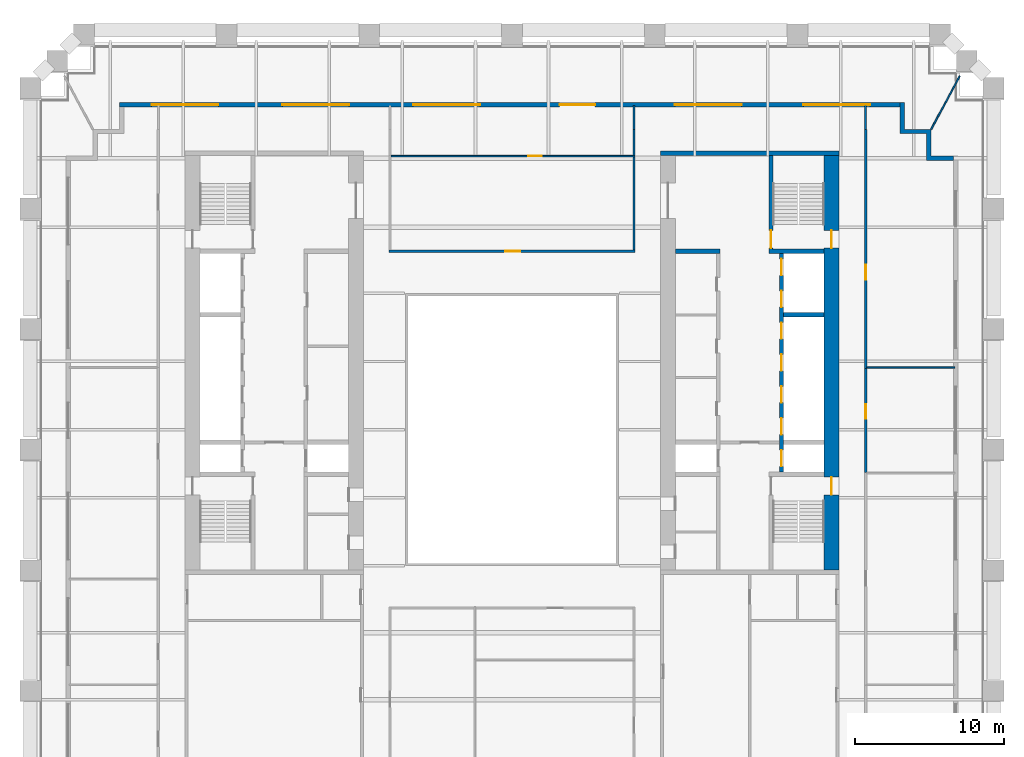
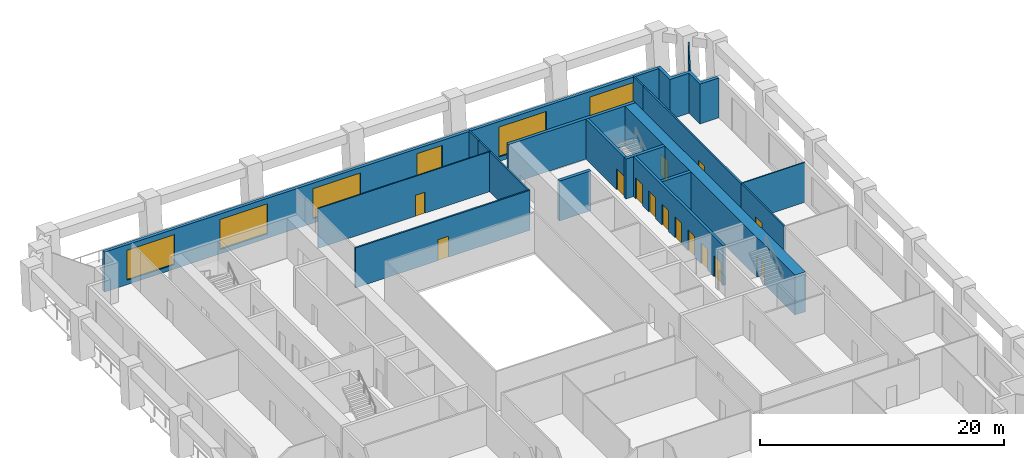
# One storey, part 7 of 9: 19 walls, 15 doors, 5 windows, 20 openings.
"""IFC4 building model written with IfcOpenShell, lengths in metres."""

from ifc_helpers import new_model, si_unit, direction, frame, frame_2d, origin, place, context, subcontext, project, spatial, polyline, rectangle, outline, extrude, material, layer, layer_set, type_object, element, fill, save


model = new_model("IFC4")

# Units and contexts
model_context = context("Model", 3, precision=1e-05, world=origin(), true_north=direction((0.0, 1.0)))
body_context = subcontext(model_context, "Body", "Model", "MODEL_VIEW")
ifc_project = project(units=[si_unit("LENGTHUNIT", "METRE"), si_unit("AREAUNIT", "SQUARE_METRE"), si_unit("VOLUMEUNIT", "CUBIC_METRE"), si_unit("PLANEANGLEUNIT", "RADIAN"), si_unit("MASSUNIT", "GRAM", prefix="KILO")], contexts=[model_context])

# Site, building, storey
site_placement = place(None, origin())
site = spatial("IfcSite", under=ifc_project, at=site_placement, CompositionType="ELEMENT")
building_placement = place(site_placement, origin())
building = spatial("IfcBuilding", under=site, at=building_placement, Name="Ogive Exchange Tower", CompositionType="ELEMENT")
storey_placement = place(building_placement, frame((0.0, 0.0, 56.39990234375)))
storey = spatial("IfcBuildingStorey", under=building, at=storey_placement, Name="L11", CompositionType="ELEMENT", Elevation=56.39990234375)

# Wall
ifc_material_1 = material(Name="Gypsum board partition")
ifc_layer_1 = layer(ifc_material_1, 0.300048828125)
ifc_layer_set_1 = layer_set([ifc_layer_1], Name="Core room partition 300 gypsum")
wall_type_1 = type_object("IfcWallType", Name="Core room partition 300 gypsum", PredefinedType="PARTITIONING", material=ifc_layer_set_1)
wall_1_placement = place(storey_placement, frame((11.0, 19.0, 0.0), z_axis=(0.0, 0.0, 1.0), x_axis=(1.0, 0.0, 0.0)))
element("IfcWall", 1, at=wall_1_placement, inside=storey, type_object=wall_type_1, Name="E row B room end wall 7", PredefinedType="PARTITIONING", context=body_context, shape_type="SweptSolid", body=[
    extrude(rectangle(XDim=3.0, YDim=0.300048828125, at=frame_2d((1.5, 0.0))), origin(), (0.0, 0.0, 1.0), 4.0),
])

# Wall, opening, door
ifc_material_2 = material(Name="Fire partition EI 60 150")
ifc_layer_2 = layer(ifc_material_2, 0.14990234375)
ifc_layer_set_2 = layer_set([ifc_layer_2], Name="Fire partition EI 60 150")
wall_type_2 = type_object("IfcWallType", Name="Fire partition EI 60 150", PredefinedType="PARTITIONING", material=ifc_layer_set_2)
wall_2_placement = place(storey_placement, frame((-8.27490234375, 19.0, 0.0), z_axis=(0.0, 0.0, 1.0), x_axis=(1.0, 0.0, 0.0)))
wall_2 = element("IfcWall", 2, at=wall_2_placement, inside=storey, type_object=wall_type_2, Name="L11-PWL-022", PredefinedType="PARTITIONING", context=body_context, shape_type="SweptSolid", body=[
    extrude(rectangle(XDim=16.5498046875, YDim=0.14990234375, at=frame_2d((8.27490234375, 0.0))), origin(), (0.0, 0.0, 1.0), 4.0),
])
opening_1_placement = place(wall_2_placement, frame((7.824951171875, 0.0, 0.0)))
opening_1 = element("IfcOpeningElement", 3, at=opening_1_placement, cuts=wall_2, Name="Opening L11-I01", PredefinedType="OPENING", context=body_context, shape_type="SweptSolid", body=[
    extrude(rectangle(XDim=1.0, YDim=2.10009765625, at=frame_2d((0.5, 1.050048828125))), frame((0.0, 0.0849609375, 0.0), z_axis=(0.0, -1.0, 0.0), x_axis=(1.0, 0.0, 0.0)), (0.0, 0.0, 1.0), 0.169921875),
])
ifc_material_3 = material(Name="Fire door FD 30S 1000 x 2100")
door_type_1 = type_object("IfcDoorType", Name="Fire door FD 30S 1000 x 2100", OperationType="NOTDEFINED", PredefinedType="DOOR", material=ifc_material_3)
door_1_placement = place(opening_1_placement, origin())
door_1 = element("IfcDoor", 4, at=door_1_placement, inside=storey, type_object=door_type_1, Name="L11-IDR-001", ObjectType="DT3", OperationType="SINGLE_SWING_RIGHT", OverallHeight=2.10009765625, OverallWidth=1.0, PredefinedType="DOOR", context=body_context, shape_type="SweptSolid", body=[
    extrude(rectangle(XDim=1.0, YDim=2.10009765625, at=frame_2d((0.5, 1.050048828125))), frame((0.0, 0.02490234375, 0.0), z_axis=(0.0, -1.0, 0.0), x_axis=(1.0, 0.0, 0.0)), (0.0, 0.0, 1.0), 0.050048828125),
])
fill(opening_1, door_1)

# Walls
wall_3_placement = place(storey_placement, frame((8.199951171875, 19.074951171875, 0.0), z_axis=(0.0, 0.0, 1.0), x_axis=(0.0, 1.0, 0.0)))
element("IfcWall", 5, at=wall_3_placement, inside=storey, type_object=wall_type_2, Name="L11-PWL-038", PredefinedType="PARTITIONING", context=body_context, shape_type="SweptSolid", body=[
    extrude(rectangle(XDim=6.275146484375, YDim=0.14990234375, at=frame_2d((3.1376953125, 0.0))), origin(), (0.0, 0.0, 1.0), 4.0),
])
wall_4_placement = place(storey_placement, frame((8.199951171875, 25.449951171875, 0.0), z_axis=(0.0, 0.0, 1.0), x_axis=(0.0, 1.0, 0.0)))
element("IfcWall", 6, at=wall_4_placement, inside=storey, type_object=wall_type_2, Name="L11-PWL-039", PredefinedType="PARTITIONING", context=body_context, shape_type="SweptSolid", body=[
    extrude(rectangle(XDim=1.75, YDim=0.14990234375, at=frame_2d((0.875, 0.0))), origin(), (0.0, 0.0, 1.0), 4.0),
])
for number, where, z_axis, x_axis, name in (
    (7, (8.2099609375, 27.199951171875, 0.0), (0.0, 0.0, 1.0), (0.0, 1.0, 0.0), "L11-PWL-040"),
    (8, (23.7900390625, 28.800048828125, 0.0), (0.0, 0.0, 1.0), (0.0, -1.0, 0.0), "L11-PWL-045"),
):
    element("IfcWall", number, at=place(storey_placement, frame(where, z_axis=z_axis, x_axis=x_axis)), inside=storey, type_object=wall_type_2, Name=name, PredefinedType="PARTITIONING", context=body_context, shape_type="SweptSolid", body=[
        extrude(rectangle(XDim=1.60009765625, YDim=0.14990234375, at=frame_2d((0.800048828125, 0.0))), origin(), (0.0, 0.0, 1.0), 4.0),
    ])

# Wall, opening, door
wall_5_placement = place(storey_placement, frame((23.800048828125, 11.1201171875, 0.0), z_axis=(0.0, 0.0, 1.0), x_axis=(0.0, -1.0, 0.0)))
wall_5 = element("IfcWall", 9, at=wall_5_placement, inside=storey, type_object=wall_type_2, Name="L11-PWL-050", PredefinedType="PARTITIONING", context=body_context, shape_type="SweptSolid", body=[
    extrude(rectangle(XDim=7.010009765625, YDim=0.14990234375, at=frame_2d((3.5048828125, 0.0))), origin(), (0.0, 0.0, 1.0), 4.0),
])
opening_2_placement = place(wall_5_placement, frame((2.409912109375, 0.0, 0.0)))
opening_2 = element("IfcOpeningElement", 10, at=opening_2_placement, cuts=wall_5, Name="Opening L11-I05", PredefinedType="OPENING", context=body_context, shape_type="SweptSolid", body=[
    extrude(rectangle(XDim=1.0, YDim=2.10009765625, at=frame_2d((0.5, 1.050048828125))), frame((0.0, 0.0849609375, 0.0), z_axis=(0.0, -1.0, 0.0), x_axis=(1.0, 0.0, 0.0)), (0.0, 0.0, 1.0), 0.169921875),
])
door_2_placement = place(opening_2_placement, origin())
door_2 = element("IfcDoor", 11, at=door_2_placement, inside=storey, type_object=door_type_1, Name="L11-IDR-005", ObjectType="DT3", OperationType="SINGLE_SWING_RIGHT", OverallHeight=2.10009765625, OverallWidth=1.0, PredefinedType="DOOR", context=body_context, shape_type="SweptSolid", body=[
    extrude(rectangle(XDim=1.0, YDim=2.10009765625, at=frame_2d((0.5, 1.050048828125))), frame((0.0, 0.02490234375, 0.0), z_axis=(0.0, -1.0, 0.0), x_axis=(1.0, 0.0, 0.0)), (0.0, 0.0, 1.0), 0.050048828125),
])
fill(opening_2, door_2)

wall_6_placement = place(storey_placement, frame((23.800048828125, 27.199951171875, 0.0), z_axis=(0.0, 0.0, 1.0), x_axis=(0.0, -1.0, 0.0)))
wall_6 = element("IfcWall", 12, at=wall_6_placement, inside=storey, type_object=wall_type_2, Name="L11-PWL-051", PredefinedType="PARTITIONING", context=body_context, shape_type="SweptSolid", body=[
    extrude(rectangle(XDim=16.079833984375, YDim=0.14990234375, at=frame_2d((8.0400390625, 0.0))), origin(), (0.0, 0.0, 1.0), 4.0),
])
opening_3_placement = place(wall_6_placement, frame((9.1298828125, 0.0, 0.0)))
opening_3 = element("IfcOpeningElement", 13, at=opening_3_placement, cuts=wall_6, Name="Opening L11-I02", PredefinedType="OPENING", context=body_context, shape_type="SweptSolid", body=[
    extrude(rectangle(XDim=1.0, YDim=2.10009765625, at=frame_2d((0.5, 1.050048828125))), frame((0.0, 0.0849609375, 0.0), z_axis=(0.0, -1.0, 0.0), x_axis=(1.0, 0.0, 0.0)), (0.0, 0.0, 1.0), 0.169921875),
])
door_3_placement = place(opening_3_placement, origin())
door_3 = element("IfcDoor", 14, at=door_3_placement, inside=storey, type_object=door_type_1, Name="L11-IDR-002", ObjectType="DT3", OperationType="SINGLE_SWING_RIGHT", OverallHeight=2.10009765625, OverallWidth=1.0, PredefinedType="DOOR", context=body_context, shape_type="SweptSolid", body=[
    extrude(rectangle(XDim=1.0, YDim=2.10009765625, at=frame_2d((0.5, 1.050048828125))), frame((0.0, 0.02490234375, 0.0), z_axis=(0.0, -1.0, 0.0), x_axis=(1.0, 0.0, 0.0)), (0.0, 0.0, 1.0), 0.050048828125),
])
fill(opening_3, door_3)

# Wall, openings, door, windows
ifc_material_4 = material(Name="Precast concrete C40/50", Category="concrete")
ifc_layer_3 = layer(ifc_material_4, 0.300048828125)
ifc_layer_set_3 = layer_set([ifc_layer_3], Name="Limestone-faced wall 300")
wall_type_3 = type_object("IfcWallType", Name="Limestone-faced wall 300", PredefinedType="STANDARD", material=ifc_layer_set_3)
wall_7_placement = place(storey_placement, frame((26.10009765625, 28.85009765625, 0.0), z_axis=(0.0, 0.0, 1.0), x_axis=(-1.0, 0.0, 0.0)))
wall_7 = element("IfcWall", 15, at=wall_7_placement, inside=storey, type_object=wall_type_3, Name="External wall N3", PredefinedType="STANDARD", context=body_context, shape_type="SweptSolid", body=[
    extrude(rectangle(XDim=52.5, YDim=0.300048828125, at=frame_2d((26.25, 0.0))), origin(), (0.0, 0.0, 1.0), 4.0),
])
opening_4_placement = place(wall_7_placement, frame((2.0, 0.0, 0.449951171875)))
opening_4 = element("IfcOpeningElement", 16, at=opening_4_placement, cuts=wall_7, Name="Opening W1A", PredefinedType="OPENING", context=body_context, shape_type="SweptSolid", body=[
    extrude(rectangle(XDim=4.5, YDim=3.0, at=frame_2d((2.25, 1.5))), frame((0.0, 0.159912109375, 0.0), z_axis=(0.0, -1.0, 0.0), x_axis=(1.0, 0.0, 0.0)), (0.0, 0.0, 1.0), 0.320068359375),
])
opening_5_placement = place(wall_7_placement, frame((10.64990234375, 0.0, 0.449951171875)))
opening_5 = element("IfcOpeningElement", 17, at=opening_5_placement, cuts=wall_7, Name="Opening W1A", PredefinedType="OPENING", context=body_context, shape_type="SweptSolid", body=[
    extrude(rectangle(XDim=4.5, YDim=3.0, at=frame_2d((2.25, 1.5))), frame((0.0, 0.159912109375, 0.0), z_axis=(0.0, -1.0, 0.0), x_axis=(1.0, 0.0, 0.0)), (0.0, 0.0, 1.0), 0.320068359375),
])
opening_6_placement = place(wall_7_placement, frame((20.5, 0.0, 0.0)))
opening_6 = element("IfcOpeningElement", 18, at=opening_6_placement, cuts=wall_7, Name="Opening D1", PredefinedType="OPENING", context=body_context, shape_type="SweptSolid", body=[
    extrude(rectangle(XDim=2.39990234375, YDim=3.5, at=frame_2d((1.199951171875, 1.75))), frame((0.0, 0.159912109375, 0.0), z_axis=(0.0, -1.0, 0.0), x_axis=(1.0, 0.0, 0.0)), (0.0, 0.0, 1.0), 0.320068359375),
])
opening_7_placement = place(wall_7_placement, frame((28.25, 0.0, 0.449951171875)))
opening_7 = element("IfcOpeningElement", 19, at=opening_7_placement, cuts=wall_7, Name="Opening W1A", PredefinedType="OPENING", context=body_context, shape_type="SweptSolid", body=[
    extrude(rectangle(XDim=4.5, YDim=3.0, at=frame_2d((2.25, 1.5))), frame((0.0, 0.159912109375, 0.0), z_axis=(0.0, -1.0, 0.0), x_axis=(1.0, 0.0, 0.0)), (0.0, 0.0, 1.0), 0.320068359375),
])
opening_8_placement = place(wall_7_placement, frame((37.050048828125, 0.0, 0.449951171875)))
opening_8 = element("IfcOpeningElement", 20, at=opening_8_placement, cuts=wall_7, Name="Opening W1A", PredefinedType="OPENING", context=body_context, shape_type="SweptSolid", body=[
    extrude(rectangle(XDim=4.5, YDim=3.0, at=frame_2d((2.25, 1.5))), frame((0.0, 0.159912109375, 0.0), z_axis=(0.0, -1.0, 0.0), x_axis=(1.0, 0.0, 0.0)), (0.0, 0.0, 1.0), 0.320068359375),
])
opening_9_placement = place(wall_7_placement, frame((45.85009765625, 0.0, 0.449951171875)))
opening_9 = element("IfcOpeningElement", 21, at=opening_9_placement, cuts=wall_7, Name="Opening W1A", PredefinedType="OPENING", context=body_context, shape_type="SweptSolid", body=[
    extrude(rectangle(XDim=4.5, YDim=3.0, at=frame_2d((2.25, 1.5))), frame((0.0, 0.159912109375, 0.0), z_axis=(0.0, -1.0, 0.0), x_axis=(1.0, 0.0, 0.0)), (0.0, 0.0, 1.0), 0.320068359375),
])
ifc_material_5 = material(Name="Clear glass in bronze frame", Category="glass")
door_type_2 = type_object("IfcDoorType", Name="Sliding loggia door 2400 x 3500", OperationType="DOUBLE_DOOR_SLIDING", PredefinedType="DOOR", material=ifc_material_5)
door_4_placement = place(opening_6_placement, origin())
door_4 = element("IfcDoor", 22, at=door_4_placement, inside=storey, type_object=door_type_2, Name="Loggia door N02", OperationType="DOUBLE_DOOR_SLIDING", OverallHeight=3.5, OverallWidth=2.39990234375, PredefinedType="DOOR", context=body_context, shape_type="SweptSolid", body=[
    extrude(rectangle(XDim=2.39990234375, YDim=3.5, at=frame_2d((1.199951171875, 1.75))), frame((0.0, 0.02490234375, 0.0), z_axis=(0.0, -1.0, 0.0), x_axis=(1.0, 0.0, 0.0)), (0.0, 0.0, 1.0), 0.050048828125),
])
fill(opening_6, door_4)
window_type = type_object("IfcWindowType", Name="Twin lancet window 4500 x 3000", PartitioningType="DOUBLE_PANEL_VERTICAL", PredefinedType="WINDOW", material=ifc_material_5)
window_1_placement = place(opening_4_placement, origin())
window_1 = element("IfcWindow", 23, at=window_1_placement, inside=storey, type_object=window_type, Name="Window N00", OverallHeight=3.0, OverallWidth=4.5, PartitioningType="DOUBLE_PANEL_VERTICAL", PredefinedType="WINDOW", context=body_context, shape_type="SweptSolid", body=[
    extrude(rectangle(XDim=4.5, YDim=3.0, at=frame_2d((2.25, 1.5))), frame((0.0, 0.030029296875, 0.0), z_axis=(0.0, -1.0, 0.0), x_axis=(1.0, 0.0, 0.0)), (0.0, 0.0, 1.0), 0.06005859375),
])
fill(opening_4, window_1)
window_2_placement = place(opening_5_placement, origin())
window_2 = element("IfcWindow", 24, at=window_2_placement, inside=storey, type_object=window_type, Name="Window N01", OverallHeight=3.0, OverallWidth=4.5, PartitioningType="DOUBLE_PANEL_VERTICAL", PredefinedType="WINDOW", context=body_context, shape_type="SweptSolid", body=[
    extrude(rectangle(XDim=4.5, YDim=3.0, at=frame_2d((2.25, 1.5))), frame((0.0, 0.030029296875, 0.0), z_axis=(0.0, -1.0, 0.0), x_axis=(1.0, 0.0, 0.0)), (0.0, 0.0, 1.0), 0.06005859375),
])
fill(opening_5, window_2)
window_3_placement = place(opening_7_placement, origin())
window_3 = element("IfcWindow", 25, at=window_3_placement, inside=storey, type_object=window_type, Name="Window N03", OverallHeight=3.0, OverallWidth=4.5, PartitioningType="DOUBLE_PANEL_VERTICAL", PredefinedType="WINDOW", context=body_context, shape_type="SweptSolid", body=[
    extrude(rectangle(XDim=4.5, YDim=3.0, at=frame_2d((2.25, 1.5))), frame((0.0, 0.030029296875, 0.0), z_axis=(0.0, -1.0, 0.0), x_axis=(1.0, 0.0, 0.0)), (0.0, 0.0, 1.0), 0.06005859375),
])
fill(opening_7, window_3)
window_4_placement = place(opening_8_placement, origin())
window_4 = element("IfcWindow", 26, at=window_4_placement, inside=storey, type_object=window_type, Name="Window N04", OverallHeight=3.0, OverallWidth=4.5, PartitioningType="DOUBLE_PANEL_VERTICAL", PredefinedType="WINDOW", context=body_context, shape_type="SweptSolid", body=[
    extrude(rectangle(XDim=4.5, YDim=3.0, at=frame_2d((2.25, 1.5))), frame((0.0, 0.030029296875, 0.0), z_axis=(0.0, -1.0, 0.0), x_axis=(1.0, 0.0, 0.0)), (0.0, 0.0, 1.0), 0.06005859375),
])
fill(opening_8, window_4)
window_5_placement = place(opening_9_placement, origin())
window_5 = element("IfcWindow", 27, at=window_5_placement, inside=storey, type_object=window_type, Name="Window N05", OverallHeight=3.0, OverallWidth=4.5, PartitioningType="DOUBLE_PANEL_VERTICAL", PredefinedType="WINDOW", context=body_context, shape_type="SweptSolid", body=[
    extrude(rectangle(XDim=4.5, YDim=3.0, at=frame_2d((2.25, 1.5))), frame((0.0, 0.030029296875, 0.0), z_axis=(0.0, -1.0, 0.0), x_axis=(1.0, 0.0, 0.0)), (0.0, 0.0, 1.0), 0.06005859375),
])
fill(opening_9, window_5)

# Walls
wall_8_placement = place(storey_placement, origin())
element("IfcWall", 28, at=wall_8_placement, inside=storey, type_object=wall_type_3, Name="External corner wall C2", PredefinedType="STANDARD", context=body_context, shape_type="SweptSolid", body=[
    extrude(outline(polyline([(27.89990234375, 26.89990234375), (26.10009765625, 26.89990234375), (26.10009765625, 29.0), (26.39990234375, 29.0), (26.39990234375, 27.199951171875), (28.199951171875, 27.199951171875), (28.199951171875, 25.39990234375), (29.699951171875, 25.39990234375), (29.699951171875, 25.10009765625), (27.89990234375, 25.10009765625), (27.89990234375, 26.89990234375)])), origin(), (0.0, 0.0, 1.0), 4.0),
])
ifc_material_6 = material(Name="Laminated safety glass in steel frame", Category="steel")
ifc_layer_4 = layer(ifc_material_6, 0.10009765625)
ifc_layer_set_4 = layer_set([ifc_layer_4], Name="Loggia end screen 100")
wall_type_4 = type_object("IfcWallType", Name="Loggia end screen 100", PredefinedType="STANDARD", material=ifc_layer_set_4)
wall_9_placement = place(storey_placement, frame((28.199951171875, 27.199951171875, -0.0498046875), z_axis=(0.0, 0.0, 1.0), x_axis=(0.472846131844, 0.881145013945, 0.0)))
element("IfcWall", 29, at=wall_9_placement, inside=storey, type_object=wall_type_4, Name="Loggia end screen C2", PredefinedType="STANDARD", context=body_context, shape_type="SweptSolid", body=[
    extrude(rectangle(XDim=4.06591796875, YDim=0.10009765625, at=frame_2d((2.032958984375, 0.0))), origin(), (0.0, 0.0, 1.0), 4.0498046875),
])

# Wall, opening, door
ifc_material_7 = material(Name="Partition 100 gypsum")
ifc_layer_5 = layer(ifc_material_7, 0.10009765625)
ifc_layer_set_5 = layer_set([ifc_layer_5], Name="Partition 100 gypsum")
wall_type_5 = type_object("IfcWallType", Name="Partition 100 gypsum", PredefinedType="PARTITIONING", material=ifc_layer_set_5)
wall_10_placement = place(storey_placement, frame((-8.125, 25.39990234375, 0.0), z_axis=(0.0, 0.0, 1.0), x_axis=(1.0, 0.0, 0.0)))
wall_10 = element("IfcWall", 30, at=wall_10_placement, inside=storey, type_object=wall_type_5, Name="L11-PWL-024", PredefinedType="PARTITIONING", context=body_context, shape_type="SweptSolid", body=[
    extrude(rectangle(XDim=16.39990234375, YDim=0.10009765625, at=frame_2d((8.199951171875, 0.0))), origin(), (0.0, 0.0, 1.0), 4.0),
])
opening_10_placement = place(wall_10_placement, frame((9.22509765625, 0.0, 0.0)))
opening_10 = element("IfcOpeningElement", 31, at=opening_10_placement, cuts=wall_10, Name="Opening L11-I03", PredefinedType="OPENING", context=body_context, shape_type="SweptSolid", body=[
    extrude(rectangle(XDim=0.89990234375, YDim=2.10009765625, at=frame_2d((0.449951171875, 1.050048828125))), frame((0.0, 0.06005859375, 0.0), z_axis=(0.0, -1.0, 0.0), x_axis=(1.0, 0.0, 0.0)), (0.0, 0.0, 1.0), 0.1201171875),
])
ifc_material_8 = material(Name="Door 900 x 2100")
door_type_3 = type_object("IfcDoorType", Name="Door 900 x 2100", OperationType="NOTDEFINED", PredefinedType="DOOR", material=ifc_material_8)
door_5_placement = place(opening_10_placement, origin())
door_5 = element("IfcDoor", 32, at=door_5_placement, inside=storey, type_object=door_type_3, Name="L11-IDR-003", ObjectType="DT1", OperationType="SINGLE_SWING_RIGHT", OverallHeight=2.10009765625, OverallWidth=0.89990234375, PredefinedType="DOOR", context=body_context, shape_type="SweptSolid", body=[
    extrude(rectangle(XDim=0.89990234375, YDim=2.10009765625, at=frame_2d((0.449951171875, 1.050048828125))), frame((0.0, 0.02490234375, 0.0), z_axis=(0.0, -1.0, 0.0), x_axis=(1.0, 0.0, 0.0)), (0.0, 0.0, 1.0), 0.050048828125),
])
fill(opening_10, door_5)

# Wall
wall_11_placement = place(storey_placement, frame((29.800048828125, 11.169921875, 0.0), z_axis=(0.0, 0.0, 1.0), x_axis=(-1.0, 0.0, 0.0)))
element("IfcWall", 33, at=wall_11_placement, inside=storey, type_object=wall_type_5, Name="L11-PWL-058", PredefinedType="PARTITIONING", context=body_context, shape_type="SweptSolid", body=[
    extrude(rectangle(XDim=5.925048828125, YDim=0.10009765625, at=frame_2d((2.96240234375, 0.0))), origin(), (0.0, 0.0, 1.0), 4.0),
])

# Wall, openings, doors
ifc_material_9 = material(Name="Concrete C70/85", Category="concrete")
ifc_layer_6 = layer(ifc_material_9, 1.0)
ifc_layer_set_6 = layer_set([ifc_layer_6], Name="RC core wall 1000 C70/85")
wall_type_6 = type_object("IfcWallType", Name="RC core wall 1000 C70/85", PredefinedType="SHEAR", material=ifc_layer_set_6)
wall_12_placement = place(storey_placement, frame((21.5, -2.449951171875, 0.0), z_axis=(0.0, 0.0, 1.0), x_axis=(0.0, 1.0, 0.0)))
wall_12 = element("IfcWall", 34, at=wall_12_placement, inside=storey, type_object=wall_type_6, Name="E outer wall", PredefinedType="SHEAR", context=body_context, shape_type="SweptSolid", body=[
    extrude(rectangle(XDim=27.89990234375, YDim=1.0, at=frame_2d((13.949951171875, 0.0))), origin(), (0.0, 0.0, 1.0), 4.0),
])
opening_11_placement = place(wall_12_placement, frame((5.050048828125, 0.0, 0.0)))
opening_11 = element("IfcOpeningElement", 35, at=opening_11_placement, cuts=wall_12, Name="Opening L11-C36", PredefinedType="OPENING", context=body_context, shape_type="SweptSolid", body=[
    extrude(rectangle(XDim=1.199951171875, YDim=2.10009765625, at=frame_2d((0.60009765625, 1.050048828125))), frame((0.0, 0.510009765625, 0.0), z_axis=(0.0, -1.0, 0.0), x_axis=(1.0, 0.0, 0.0)), (0.0, 0.0, 1.0), 1.02001953125),
])
opening_12_placement = place(wall_12_placement, frame((21.64990234375, 0.0, 0.0)))
opening_12 = element("IfcOpeningElement", 36, at=opening_12_placement, cuts=wall_12, Name="Opening L11-C38", PredefinedType="OPENING", context=body_context, shape_type="SweptSolid", body=[
    extrude(rectangle(XDim=1.199951171875, YDim=2.10009765625, at=frame_2d((0.60009765625, 1.050048828125))), frame((0.0, 0.510009765625, 0.0), z_axis=(0.0, -1.0, 0.0), x_axis=(1.0, 0.0, 0.0)), (0.0, 0.0, 1.0), 1.02001953125),
])
ifc_material_10 = material(Name="Steel fire door", Category="steel")
door_type_4 = type_object("IfcDoorType", Name="Stair door FD90 1200 x 2100", OperationType="NOTDEFINED", PredefinedType="DOOR", material=ifc_material_10)
door_6_placement = place(opening_11_placement, origin())
door_6 = element("IfcDoor", 37, at=door_6_placement, inside=storey, type_object=door_type_4, Name="Stair door", ObjectType="CD5", OperationType="SINGLE_SWING_LEFT", OverallHeight=2.10009765625, OverallWidth=1.199951171875, PredefinedType="DOOR", context=body_context, shape_type="SweptSolid", body=[
    extrude(rectangle(XDim=1.199951171875, YDim=2.10009765625, at=frame_2d((0.60009765625, 1.050048828125))), frame((0.0, 0.02490234375, 0.0), z_axis=(0.0, -1.0, 0.0), x_axis=(1.0, 0.0, 0.0)), (0.0, 0.0, 1.0), 0.050048828125),
])
fill(opening_11, door_6)
door_7_placement = place(opening_12_placement, origin())
door_7 = element("IfcDoor", 38, at=door_7_placement, inside=storey, type_object=door_type_4, Name="Stair door", ObjectType="CD5", OperationType="SINGLE_SWING_RIGHT", OverallHeight=2.10009765625, OverallWidth=1.199951171875, PredefinedType="DOOR", context=body_context, shape_type="SweptSolid", body=[
    extrude(rectangle(XDim=1.199951171875, YDim=2.10009765625, at=frame_2d((0.60009765625, 1.050048828125))), frame((0.0, 0.02490234375, 0.0), z_axis=(0.0, -1.0, 0.0), x_axis=(1.0, 0.0, 0.0)), (0.0, 0.0, 1.0), 0.050048828125),
])
fill(opening_12, door_7)

# Wall, opening, door
ifc_layer_7 = layer(ifc_material_9, 0.25)
ifc_layer_set_7 = layer_set([ifc_layer_7], Name="RC core wall 250 C70/85")
wall_type_7 = type_object("IfcWallType", Name="RC core wall 250 C70/85", PredefinedType="SHEAR", material=ifc_layer_set_7)
wall_13_placement = place(storey_placement, frame((17.425048828125, 19.14990234375, 0.0), z_axis=(0.0, 0.0, 1.0), x_axis=(0.0, 1.0, 0.0)))
wall_13 = element("IfcWall", 39, at=wall_13_placement, inside=storey, type_object=wall_type_7, Name="E stair N front wall", PredefinedType="SHEAR", context=body_context, shape_type="SweptSolid", body=[
    extrude(rectangle(XDim=6.300048828125, YDim=0.25, at=frame_2d((3.14990234375, 0.0))), origin(), (0.0, 0.0, 1.0), 4.0),
])
opening_13_placement = place(wall_13_placement, frame((0.050048828125, 0.0, 0.0)))
opening_13 = element("IfcOpeningElement", 40, at=opening_13_placement, cuts=wall_13, Name="Opening L11-C37", PredefinedType="OPENING", context=body_context, shape_type="SweptSolid", body=[
    extrude(rectangle(XDim=1.199951171875, YDim=2.10009765625, at=frame_2d((0.60009765625, 1.050048828125))), frame((0.0, 0.135009765625, 0.0), z_axis=(0.0, -1.0, 0.0), x_axis=(1.0, 0.0, 0.0)), (0.0, 0.0, 1.0), 0.27001953125),
])
door_8_placement = place(opening_13_placement, frame((1.199951171875, 0.0, 0.0), z_axis=(0.0, 0.0, 1.0), x_axis=(-1.0, 0.0, 0.0)))
door_8 = element("IfcDoor", 41, at=door_8_placement, inside=storey, type_object=door_type_4, Name="Stair door", ObjectType="CD5", OperationType="SINGLE_SWING_LEFT", OverallHeight=2.10009765625, OverallWidth=1.199951171875, PredefinedType="DOOR", context=body_context, shape_type="SweptSolid", body=[
    extrude(rectangle(XDim=1.199951171875, YDim=2.10009765625, at=frame_2d((0.60009765625, 1.050048828125))), frame((0.0, 0.02490234375, 0.0), z_axis=(0.0, -1.0, 0.0), x_axis=(1.0, 0.0, 0.0)), (0.0, 0.0, 1.0), 0.050048828125),
])
fill(opening_13, door_8)

# Wall, openings, doors
wall_14_placement = place(storey_placement, frame((18.125, 4.14990234375, 0.0), z_axis=(0.0, 0.0, 1.0), x_axis=(0.0, 1.0, 0.0)))
wall_14 = element("IfcWall", 42, at=wall_14_placement, inside=storey, type_object=wall_type_7, Name="E row A front wall", PredefinedType="SHEAR", context=body_context, shape_type="SweptSolid", body=[
    extrude(rectangle(XDim=14.7001953125, YDim=0.25, at=frame_2d((7.35009765625, 0.0))), origin(), (0.0, 0.0, 1.0), 4.0),
])
opening_14_placement = place(wall_14_placement, frame((0.371337890625, 0.0, 0.0)))
opening_14 = element("IfcOpeningElement", 43, at=opening_14_placement, cuts=wall_14, Name="Opening L11-C22", PredefinedType="OPENING", context=body_context, shape_type="SweptSolid", body=[
    extrude(rectangle(XDim=1.10009765625, YDim=2.10009765625, at=frame_2d((0.550048828125, 1.050048828125))), frame((0.0, 0.135009765625, 0.0), z_axis=(0.0, -1.0, 0.0), x_axis=(1.0, 0.0, 0.0)), (0.0, 0.0, 1.0), 0.27001953125),
])
opening_15_placement = place(wall_14_placement, frame((2.514404296875, 0.0, 0.0)))
opening_15 = element("IfcOpeningElement", 44, at=opening_15_placement, cuts=wall_14, Name="Opening L11-C23", PredefinedType="OPENING", context=body_context, shape_type="SweptSolid", body=[
    extrude(rectangle(XDim=1.10009765625, YDim=2.10009765625, at=frame_2d((0.550048828125, 1.050048828125))), frame((0.0, 0.135009765625, 0.0), z_axis=(0.0, -1.0, 0.0), x_axis=(1.0, 0.0, 0.0)), (0.0, 0.0, 1.0), 0.27001953125),
])
opening_16_placement = place(wall_14_placement, frame((4.656982421875, 0.0, 0.0)))
opening_16 = element("IfcOpeningElement", 45, at=opening_16_placement, cuts=wall_14, Name="Opening L11-C24", PredefinedType="OPENING", context=body_context, shape_type="SweptSolid", body=[
    extrude(rectangle(XDim=1.10009765625, YDim=2.10009765625, at=frame_2d((0.550048828125, 1.050048828125))), frame((0.0, 0.135009765625, 0.0), z_axis=(0.0, -1.0, 0.0), x_axis=(1.0, 0.0, 0.0)), (0.0, 0.0, 1.0), 0.27001953125),
])
opening_17_placement = place(wall_14_placement, frame((6.800048828125, 0.0, 0.0)))
opening_17 = element("IfcOpeningElement", 46, at=opening_17_placement, cuts=wall_14, Name="Opening L11-C25", PredefinedType="OPENING", context=body_context, shape_type="SweptSolid", body=[
    extrude(rectangle(XDim=1.10009765625, YDim=2.10009765625, at=frame_2d((0.550048828125, 1.050048828125))), frame((0.0, 0.135009765625, 0.0), z_axis=(0.0, -1.0, 0.0), x_axis=(1.0, 0.0, 0.0)), (0.0, 0.0, 1.0), 0.27001953125),
])
opening_18_placement = place(wall_14_placement, frame((8.94287109375, 0.0, 0.0)))
opening_18 = element("IfcOpeningElement", 47, at=opening_18_placement, cuts=wall_14, Name="Opening L11-C26", PredefinedType="OPENING", context=body_context, shape_type="SweptSolid", body=[
    extrude(rectangle(XDim=1.10009765625, YDim=2.10009765625, at=frame_2d((0.550048828125, 1.050048828125))), frame((0.0, 0.135009765625, 0.0), z_axis=(0.0, -1.0, 0.0), x_axis=(1.0, 0.0, 0.0)), (0.0, 0.0, 1.0), 0.27001953125),
])
opening_19_placement = place(wall_14_placement, frame((11.085693359375, 0.0, 0.0)))
opening_19 = element("IfcOpeningElement", 48, at=opening_19_placement, cuts=wall_14, Name="Opening L11-C27", PredefinedType="OPENING", context=body_context, shape_type="SweptSolid", body=[
    extrude(rectangle(XDim=1.10009765625, YDim=2.10009765625, at=frame_2d((0.550048828125, 1.050048828125))), frame((0.0, 0.135009765625, 0.0), z_axis=(0.0, -1.0, 0.0), x_axis=(1.0, 0.0, 0.0)), (0.0, 0.0, 1.0), 0.27001953125),
])
opening_20_placement = place(wall_14_placement, frame((13.228515625, 0.0, 0.0)))
opening_20 = element("IfcOpeningElement", 49, at=opening_20_placement, cuts=wall_14, Name="Opening L11-C28", PredefinedType="OPENING", context=body_context, shape_type="SweptSolid", body=[
    extrude(rectangle(XDim=1.10009765625, YDim=2.10009765625, at=frame_2d((0.550048828125, 1.050048828125))), frame((0.0, 0.135009765625, 0.0), z_axis=(0.0, -1.0, 0.0), x_axis=(1.0, 0.0, 0.0)), (0.0, 0.0, 1.0), 0.27001953125),
])
ifc_material_11 = material(Name="Stainless steel", Category="steel")
door_type_5 = type_object("IfcDoorType", Name="Lift landing door FD90 1100 x 2100", OperationType="SLIDING_TO_LEFT", PredefinedType="DOOR", material=ifc_material_11)
door_9_placement = place(opening_14_placement, origin())
door_9 = element("IfcDoor", 50, at=door_9_placement, inside=storey, type_object=door_type_5, Name="Lift landing door FF2", ObjectType="LD", OperationType="SLIDING_TO_LEFT", OverallHeight=2.10009765625, OverallWidth=1.10009765625, PredefinedType="DOOR", context=body_context, shape_type="SweptSolid", body=[
    extrude(rectangle(XDim=1.10009765625, YDim=2.10009765625, at=frame_2d((0.550048828125, 1.050048828125))), frame((0.0, 0.02490234375, 0.0), z_axis=(0.0, -1.0, 0.0), x_axis=(1.0, 0.0, 0.0)), (0.0, 0.0, 1.0), 0.050048828125),
])
fill(opening_14, door_9)
door_10_placement = place(opening_15_placement, origin())
door_10 = element("IfcDoor", 51, at=door_10_placement, inside=storey, type_object=door_type_5, Name="Lift landing door E-L1", ObjectType="LD", OperationType="SLIDING_TO_LEFT", OverallHeight=2.10009765625, OverallWidth=1.10009765625, PredefinedType="DOOR", context=body_context, shape_type="SweptSolid", body=[
    extrude(rectangle(XDim=1.10009765625, YDim=2.10009765625, at=frame_2d((0.550048828125, 1.050048828125))), frame((0.0, 0.02490234375, 0.0), z_axis=(0.0, -1.0, 0.0), x_axis=(1.0, 0.0, 0.0)), (0.0, 0.0, 1.0), 0.050048828125),
])
fill(opening_15, door_10)
door_11_placement = place(opening_16_placement, origin())
door_11 = element("IfcDoor", 52, at=door_11_placement, inside=storey, type_object=door_type_5, Name="Lift landing door E-L2", ObjectType="LD", OperationType="SLIDING_TO_LEFT", OverallHeight=2.10009765625, OverallWidth=1.10009765625, PredefinedType="DOOR", context=body_context, shape_type="SweptSolid", body=[
    extrude(rectangle(XDim=1.10009765625, YDim=2.10009765625, at=frame_2d((0.550048828125, 1.050048828125))), frame((0.0, 0.02490234375, 0.0), z_axis=(0.0, -1.0, 0.0), x_axis=(1.0, 0.0, 0.0)), (0.0, 0.0, 1.0), 0.050048828125),
])
fill(opening_16, door_11)
door_12_placement = place(opening_17_placement, origin())
door_12 = element("IfcDoor", 53, at=door_12_placement, inside=storey, type_object=door_type_5, Name="Lift landing door E-L3", ObjectType="LD", OperationType="SLIDING_TO_LEFT", OverallHeight=2.10009765625, OverallWidth=1.10009765625, PredefinedType="DOOR", context=body_context, shape_type="SweptSolid", body=[
    extrude(rectangle(XDim=1.10009765625, YDim=2.10009765625, at=frame_2d((0.550048828125, 1.050048828125))), frame((0.0, 0.02490234375, 0.0), z_axis=(0.0, -1.0, 0.0), x_axis=(1.0, 0.0, 0.0)), (0.0, 0.0, 1.0), 0.050048828125),
])
fill(opening_17, door_12)
door_13_placement = place(opening_18_placement, origin())
door_13 = element("IfcDoor", 54, at=door_13_placement, inside=storey, type_object=door_type_5, Name="Lift landing door E-L4", ObjectType="LD", OperationType="SLIDING_TO_LEFT", OverallHeight=2.10009765625, OverallWidth=1.10009765625, PredefinedType="DOOR", context=body_context, shape_type="SweptSolid", body=[
    extrude(rectangle(XDim=1.10009765625, YDim=2.10009765625, at=frame_2d((0.550048828125, 1.050048828125))), frame((0.0, 0.02490234375, 0.0), z_axis=(0.0, -1.0, 0.0), x_axis=(1.0, 0.0, 0.0)), (0.0, 0.0, 1.0), 0.050048828125),
])
fill(opening_18, door_13)
door_14_placement = place(opening_19_placement, origin())
door_14 = element("IfcDoor", 55, at=door_14_placement, inside=storey, type_object=door_type_5, Name="Lift landing door E-SH1", ObjectType="LD", OperationType="SLIDING_TO_LEFT", OverallHeight=2.10009765625, OverallWidth=1.10009765625, PredefinedType="DOOR", context=body_context, shape_type="SweptSolid", body=[
    extrude(rectangle(XDim=1.10009765625, YDim=2.10009765625, at=frame_2d((0.550048828125, 1.050048828125))), frame((0.0, 0.02490234375, 0.0), z_axis=(0.0, -1.0, 0.0), x_axis=(1.0, 0.0, 0.0)), (0.0, 0.0, 1.0), 0.050048828125),
])
fill(opening_19, door_14)
door_15_placement = place(opening_20_placement, origin())
door_15 = element("IfcDoor", 56, at=door_15_placement, inside=storey, type_object=door_type_5, Name="Lift landing door E-SH2", ObjectType="LD", OperationType="SLIDING_TO_LEFT", OverallHeight=2.10009765625, OverallWidth=1.10009765625, PredefinedType="DOOR", context=body_context, shape_type="SweptSolid", body=[
    extrude(rectangle(XDim=1.10009765625, YDim=2.10009765625, at=frame_2d((0.550048828125, 1.050048828125))), frame((0.0, 0.02490234375, 0.0), z_axis=(0.0, -1.0, 0.0), x_axis=(1.0, 0.0, 0.0)), (0.0, 0.0, 1.0), 0.050048828125),
])
fill(opening_20, door_15)

# Walls
ifc_layer_8 = layer(ifc_material_9, 0.300048828125)
ifc_layer_set_8 = layer_set([ifc_layer_8], Name="RC core wall 300 C70/85")
wall_type_8 = type_object("IfcWallType", Name="RC core wall 300 C70/85", PredefinedType="SHEAR", material=ifc_layer_set_8)
wall_15_placement = place(storey_placement, frame((10.0, 25.60009765625, 0.0), z_axis=(0.0, 0.0, 1.0), x_axis=(1.0, 0.0, 0.0)))
element("IfcWall", 57, at=wall_15_placement, inside=storey, type_object=wall_type_8, Name="E north end wall", PredefinedType="SHEAR", context=body_context, shape_type="SweptSolid", body=[
    extrude(rectangle(XDim=12.0, YDim=0.300048828125, at=frame_2d((6.0, 0.0))), origin(), (0.0, 0.0, 1.0), 4.0),
])
wall_16_placement = place(storey_placement, frame((17.300048828125, 19.0, 0.0), z_axis=(0.0, 0.0, 1.0), x_axis=(1.0, 0.0, 0.0)))
element("IfcWall", 58, at=wall_16_placement, inside=storey, type_object=wall_type_8, Name="E stair N south wall", PredefinedType="SHEAR", context=body_context, shape_type="SweptSolid", body=[
    extrude(rectangle(XDim=3.699951171875, YDim=0.300048828125, at=frame_2d((1.85009765625, 0.0))), origin(), (0.0, 0.0, 1.0), 4.0),
])
wall_17_placement = place(storey_placement, frame((18.25, 14.71435546875, 0.0), z_axis=(0.0, 0.0, 1.0), x_axis=(1.0, 0.0, 0.0)))
element("IfcWall", 59, at=wall_17_placement, inside=storey, type_object=wall_type_8, Name="E row A divider 5", PredefinedType="SHEAR", context=body_context, shape_type="SweptSolid", body=[
    extrude(rectangle(XDim=2.75, YDim=0.300048828125, at=frame_2d((1.375, 0.0))), origin(), (0.0, 0.0, 1.0), 4.0),
])

save(model, "model.ifc")
